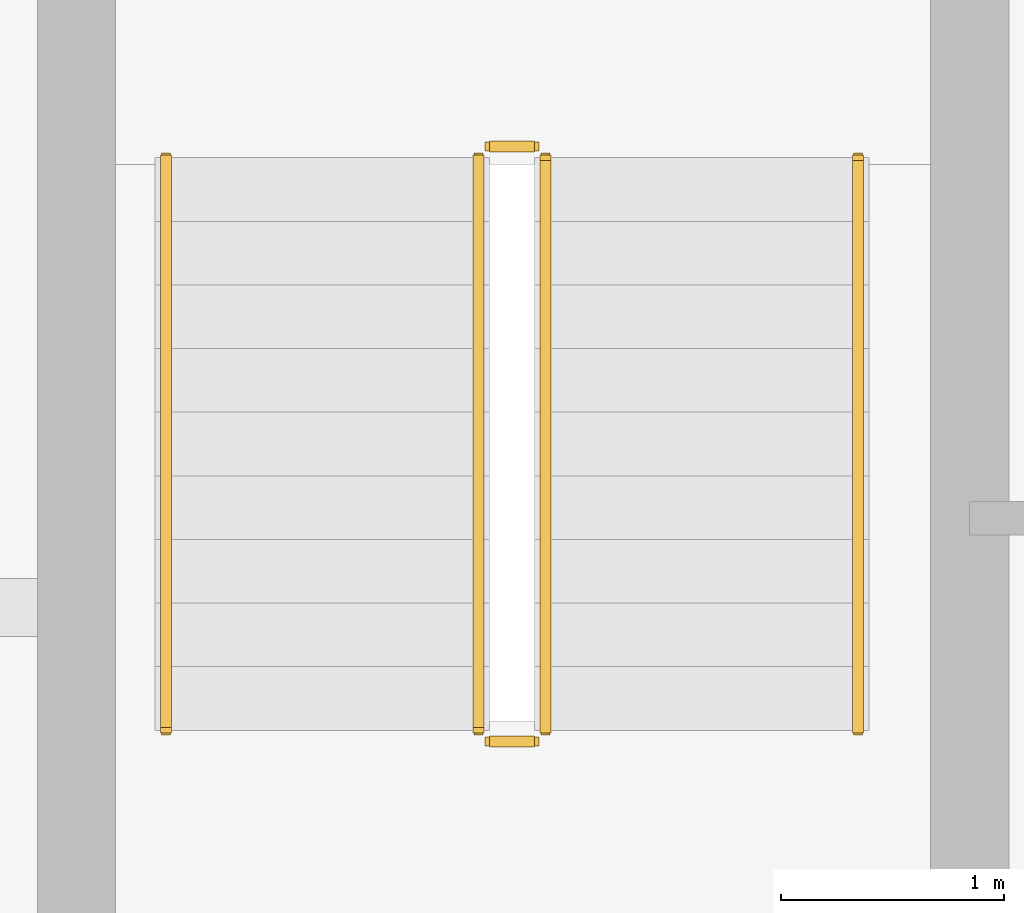
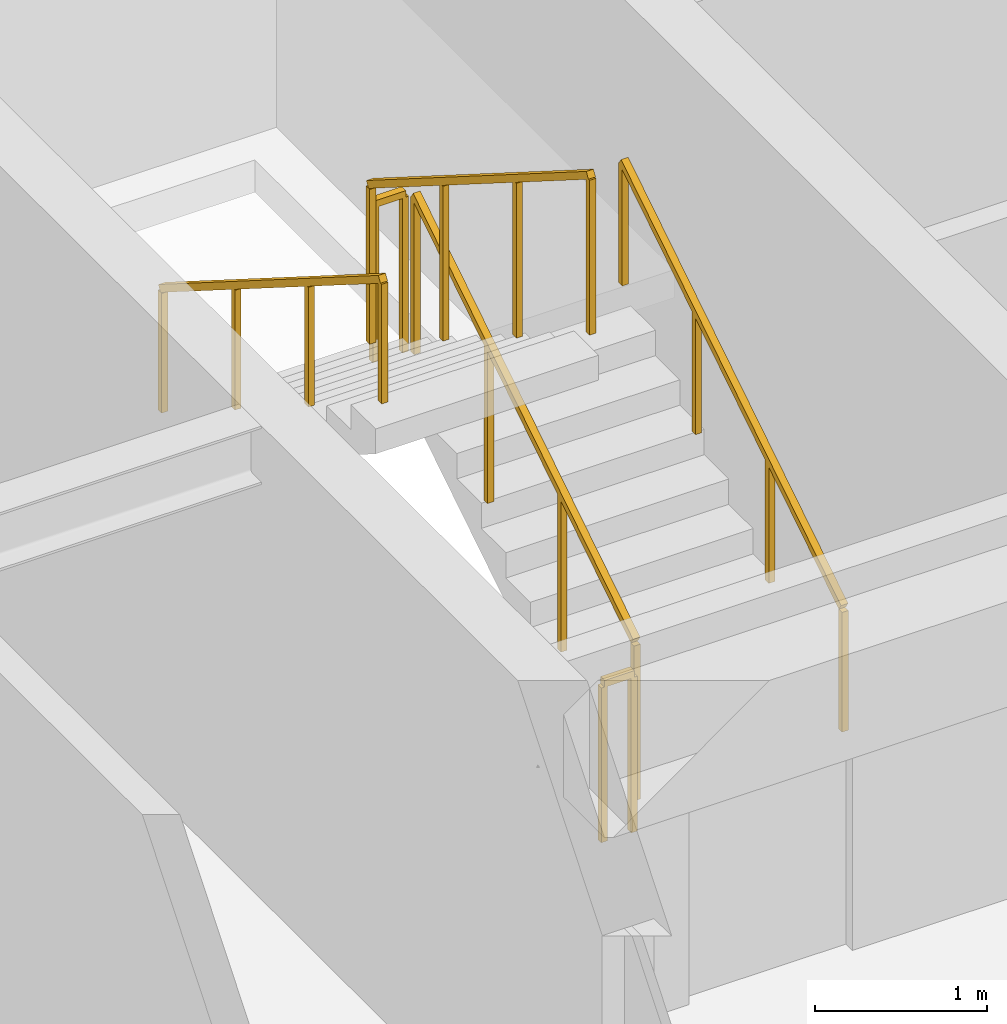
# One storey, part 21 of 23: 6 railings.
"""IFC4 building model written with IfcOpenShell, lengths in metres."""

from ifc_helpers import new_model, si_unit, direction, frame, origin, origin_2d, place, context, subcontext, project, spatial, rectangle, extrude, material, type_object, element, save


model = new_model("IFC4")

# Units and contexts
model_context = context("Model", 3, precision=1e-05, world=origin(), true_north=direction((0.0, 1.0)))
body_context = subcontext(model_context, "Body", "Model", "MODEL_VIEW")
ifc_project = project(units=[si_unit("LENGTHUNIT", "METRE"), si_unit("AREAUNIT", "SQUARE_METRE"), si_unit("VOLUMEUNIT", "CUBIC_METRE"), si_unit("PLANEANGLEUNIT", "RADIAN"), si_unit("MASSUNIT", "GRAM", prefix="KILO")], contexts=[model_context])

# Site, building, storey
site_placement = place(None, origin())
site = spatial("IfcSite", under=ifc_project, at=site_placement, CompositionType="ELEMENT")
building_placement = place(site_placement, origin())
building = spatial("IfcBuilding", under=site, at=building_placement, Name="Sarneth Arch Tower", CompositionType="ELEMENT")
storey_placement = place(building_placement, frame((0.0, 0.0, 273.0)))
storey = spatial("IfcBuildingStorey", under=building, at=storey_placement, Name="L70", CompositionType="ELEMENT", Elevation=273.0)

# Railings
ifc_material_1 = material(Name="Brushed Stainless Steel 304 tubular handrail", Category="steel")
railing_type_1 = type_object("IfcRailingType", Name="RAIL-HANDRAIL-900", PredefinedType="HANDRAIL", material=ifc_material_1)
railing_1_placement = place(storey_placement, frame((40.5, 41.449951171875, 0.179931640625)))
element("IfcRailing", 1, at=railing_1_placement, inside=storey, type_object=railing_type_1, Name="L70 ST-1 stair handrail 1", PredefinedType="HANDRAIL", context=body_context, shape_type="SweptSolid", body=[
    extrude(rectangle(XDim=0.048095703125, YDim=0.048095703125, at=origin_2d()), frame((0.0, 0.0, 0.8759765625), z_axis=(0.0, 0.845465955043, 0.534029323973), x_axis=(-1.0, 0.0, 0.0)), (0.0, 0.0, 1.0), 3.03369140625),
    extrude(rectangle(XDim=0.0419921875, YDim=0.0419921875, at=origin_2d()), origin(), (0.0, 0.0, 1.0), 0.851806640625),
    extrude(rectangle(XDim=0.0419921875, YDim=0.0419921875, at=origin_2d()), frame((0.0, 0.85498046875, 0.5400390625)), (0.0, 0.0, 1.0), 0.851806640625),
    extrude(rectangle(XDim=0.0419921875, YDim=0.0419921875, at=origin_2d()), frame((0.0, 1.7099609375, 1.080078125)), (0.0, 0.0, 1.0), 0.851806640625),
    extrude(rectangle(XDim=0.0419921875, YDim=0.0419921875, at=origin_2d()), frame((0.0, 2.56494140625, 1.6201171875)), (0.0, 0.0, 1.0), 0.851806640625),
])
railing_2_placement = place(storey_placement, frame((37.39990234375, 44.014892578125, 1.97998046875)))
element("IfcRailing", 2, at=railing_2_placement, inside=storey, type_object=railing_type_1, Name="L70 ST-1 stair handrail 2", PredefinedType="HANDRAIL", context=body_context, shape_type="SweptSolid", body=[
    extrude(rectangle(XDim=0.048095703125, YDim=0.048095703125, at=origin_2d()), frame((0.0, 0.0, 0.8759765625), z_axis=(0.0, -0.845465955043, 0.534029323973), x_axis=(1.0, 0.0, 0.0)), (0.0, 0.0, 1.0), 3.03369140625),
    extrude(rectangle(XDim=0.0419921875, YDim=0.0419921875, at=origin_2d()), origin(), (0.0, 0.0, 1.0), 0.851806640625),
    extrude(rectangle(XDim=0.0419921875, YDim=0.0419921875, at=origin_2d()), frame((0.0, -0.85498046875, 0.5400390625)), (0.0, 0.0, 1.0), 0.851806640625),
    extrude(rectangle(XDim=0.0419921875, YDim=0.0419921875, at=origin_2d()), frame((0.0, -1.7099609375, 1.080078125)), (0.0, 0.0, 1.0), 0.851806640625),
    extrude(rectangle(XDim=0.0419921875, YDim=0.0419921875, at=origin_2d()), frame((0.0, -2.56494140625, 1.6201171875)), (0.0, 0.0, 1.0), 0.851806640625),
])
ifc_material_2 = material(Name="Painted Steel S275 stair well guard", Category="steel")
railing_type_2 = type_object("IfcRailingType", Name="RAIL-STAIR-GUARD", PredefinedType="GUARDRAIL", material=ifc_material_2)
railing_3_placement = place(storey_placement, frame((39.10009765625, 41.449951171875, 0.179931640625)))
element("IfcRailing", 3, at=railing_3_placement, inside=storey, type_object=railing_type_2, Name="L70 ST-1 stair guard 1", PredefinedType="GUARDRAIL", context=body_context, shape_type="SweptSolid", body=[
    extrude(rectangle(XDim=0.048095703125, YDim=0.048095703125, at=origin_2d()), frame((0.0, 0.0, 1.1259765625), z_axis=(0.0, 0.845465955043, 0.534029323973), x_axis=(-1.0, 0.0, 0.0)), (0.0, 0.0, 1.0), 3.03369140625),
    extrude(rectangle(XDim=0.0419921875, YDim=0.0419921875, at=origin_2d()), origin(), (0.0, 0.0, 1.0), 1.101806640625),
    extrude(rectangle(XDim=0.0419921875, YDim=0.0419921875, at=origin_2d()), frame((0.0, 0.85498046875, 0.5400390625)), (0.0, 0.0, 1.0), 1.101806640625),
    extrude(rectangle(XDim=0.0419921875, YDim=0.0419921875, at=origin_2d()), frame((0.0, 1.7099609375, 1.080078125)), (0.0, 0.0, 1.0), 1.101806640625),
    extrude(rectangle(XDim=0.0419921875, YDim=0.0419921875, at=origin_2d()), frame((0.0, 2.56494140625, 1.6201171875)), (0.0, 0.0, 1.0), 1.101806640625),
])
railing_4_placement = place(storey_placement, frame((39.050048828125, 44.06494140625, 1.800048828125)))
element("IfcRailing", 4, at=railing_4_placement, inside=storey, type_object=railing_type_2, Name="L70 ST-1 stair guard 2", PredefinedType="GUARDRAIL", context=body_context, shape_type="SweptSolid", body=[
    extrude(rectangle(XDim=0.048095703125, YDim=0.048095703125, at=origin_2d()), frame((0.0, 0.0, 1.1259765625), z_axis=(-1.0, 0.0, 0.0), x_axis=(0.0, -1.0, 0.0)), (0.0, 0.0, 1.0), 0.199951171875),
    extrude(rectangle(XDim=0.0419921875, YDim=0.0419921875, at=origin_2d()), origin(), (0.0, 0.0, 1.0), 1.101806640625),
    extrude(rectangle(XDim=0.0419921875, YDim=0.0419921875, at=origin_2d()), frame((-0.199951171875, 0.0, 0.0)), (0.0, 0.0, 1.0), 1.101806640625),
])
railing_5_placement = place(storey_placement, frame((38.800048828125, 44.014892578125, 1.97998046875)))
element("IfcRailing", 5, at=railing_5_placement, inside=storey, type_object=railing_type_2, Name="L70 ST-1 stair guard 3", PredefinedType="GUARDRAIL", context=body_context, shape_type="SweptSolid", body=[
    extrude(rectangle(XDim=0.048095703125, YDim=0.048095703125, at=origin_2d()), frame((0.0, 0.0, 1.1259765625), z_axis=(0.0, -0.845465955043, 0.534029323973), x_axis=(1.0, 0.0, 0.0)), (0.0, 0.0, 1.0), 3.03369140625),
    extrude(rectangle(XDim=0.0419921875, YDim=0.0419921875, at=origin_2d()), origin(), (0.0, 0.0, 1.0), 1.101806640625),
    extrude(rectangle(XDim=0.0419921875, YDim=0.0419921875, at=origin_2d()), frame((0.0, -0.85498046875, 0.5400390625)), (0.0, 0.0, 1.0), 1.101806640625),
    extrude(rectangle(XDim=0.0419921875, YDim=0.0419921875, at=origin_2d()), frame((0.0, -1.7099609375, 1.080078125)), (0.0, 0.0, 1.0), 1.101806640625),
    extrude(rectangle(XDim=0.0419921875, YDim=0.0419921875, at=origin_2d()), frame((0.0, -2.56494140625, 1.6201171875)), (0.0, 0.0, 1.0), 1.101806640625),
])
railing_6_placement = place(storey_placement, frame((39.050048828125, 41.39990234375, 0.0)))
element("IfcRailing", 6, at=railing_6_placement, inside=storey, type_object=railing_type_2, Name="L70 ST-1 stair guard 4", PredefinedType="GUARDRAIL", context=body_context, shape_type="SweptSolid", body=[
    extrude(rectangle(XDim=0.048095703125, YDim=0.048095703125, at=origin_2d()), frame((0.0, 0.0, 1.1259765625), z_axis=(-1.0, 0.0, 0.0), x_axis=(0.0, -1.0, 0.0)), (0.0, 0.0, 1.0), 0.199951171875),
    extrude(rectangle(XDim=0.0419921875, YDim=0.0419921875, at=origin_2d()), origin(), (0.0, 0.0, 1.0), 1.101806640625),
    extrude(rectangle(XDim=0.0419921875, YDim=0.0419921875, at=origin_2d()), frame((-0.199951171875, 0.0, 0.0)), (0.0, 0.0, 1.0), 1.101806640625),
])

save(model, "model.ifc")
